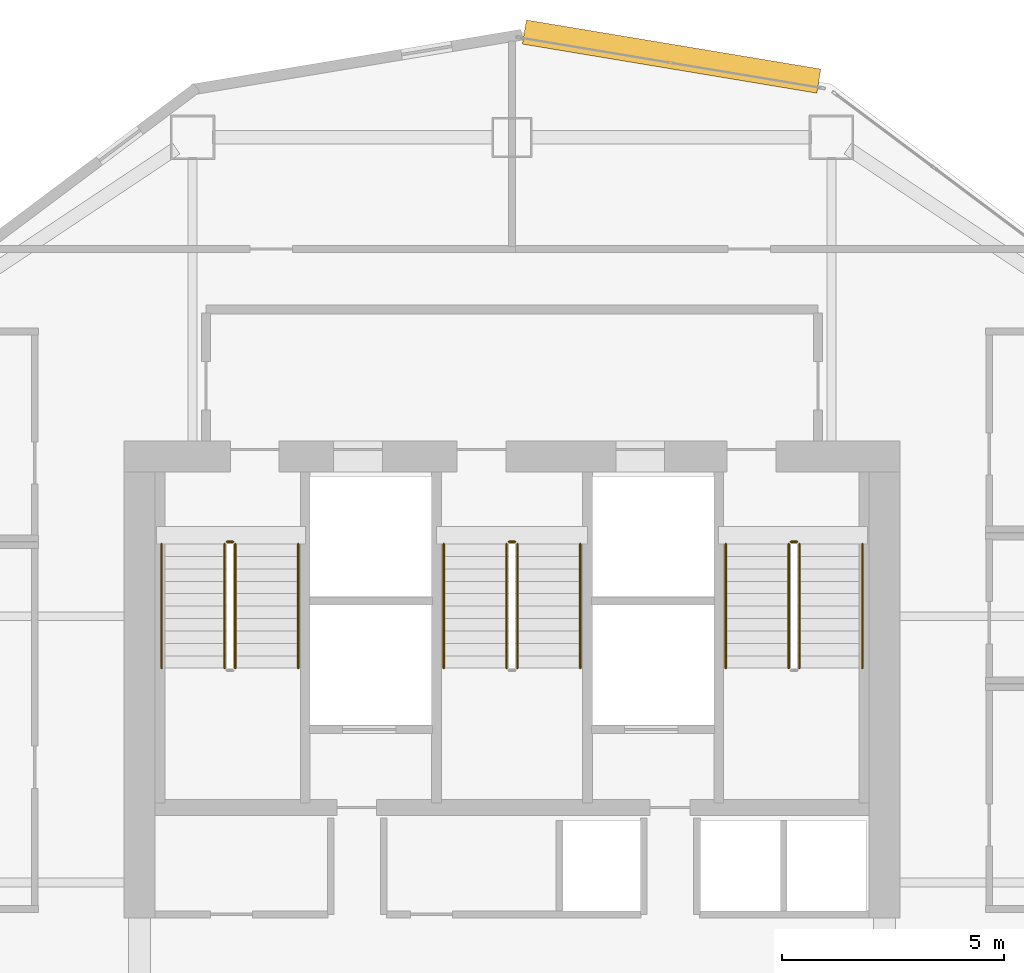
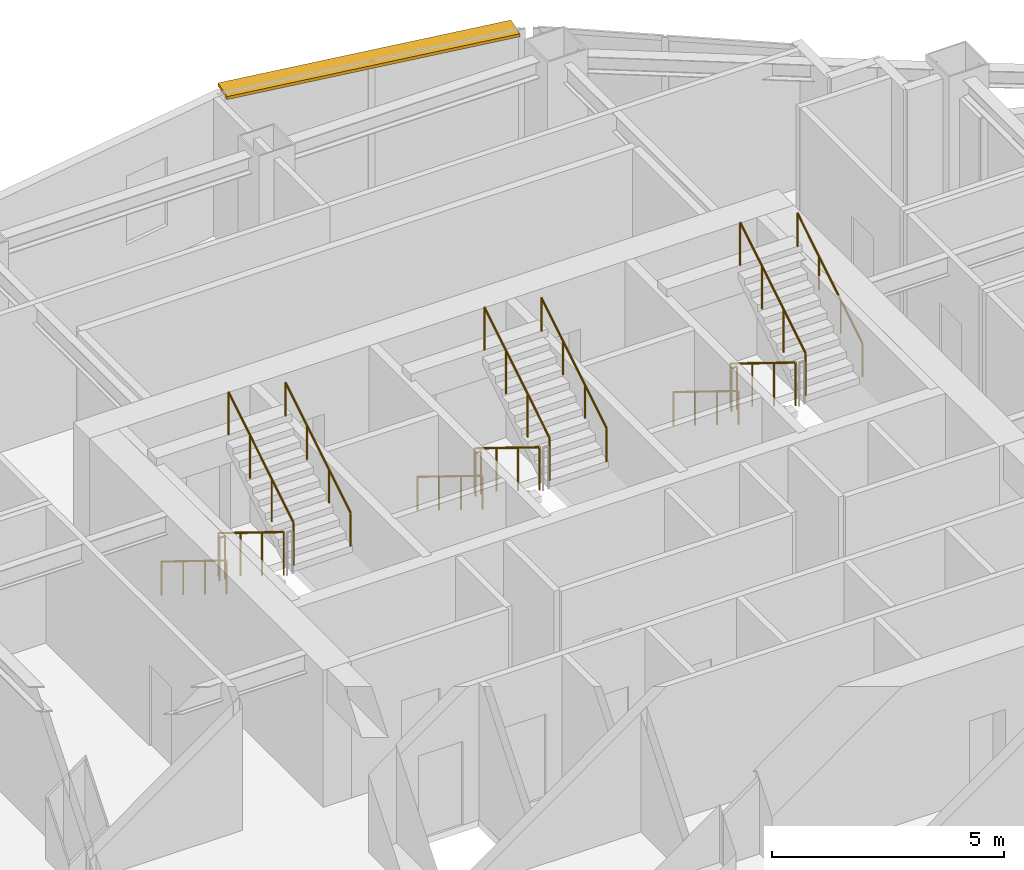
# One storey, part 14 of 14: 15 railings, 1 shading device.
"""IFC4 building model written with IfcOpenShell, lengths in metres."""

from ifc_helpers import new_model, si_unit, direction, frame, origin, origin_2d, place, context, subcontext, project, spatial, rectangle, circle, extrude, material, layer, layer_set, type_object, element, save


model = new_model("IFC4")

# Units and contexts
model_context = context("Model", 3, precision=1e-05, world=origin(), true_north=direction((0.0, 1.0)))
body_context = subcontext(model_context, "Body", "Model", "MODEL_VIEW")
ifc_project = project(units=[si_unit("LENGTHUNIT", "METRE"), si_unit("AREAUNIT", "SQUARE_METRE"), si_unit("VOLUMEUNIT", "CUBIC_METRE"), si_unit("PLANEANGLEUNIT", "RADIAN"), si_unit("MASSUNIT", "GRAM", prefix="KILO")], contexts=[model_context])

# Site, building, storey
site_placement = place(None, origin())
site = spatial("IfcSite", under=ifc_project, at=site_placement, CompositionType="ELEMENT")
building_placement = place(site_placement, origin())
building = spatial("IfcBuilding", under=site, at=building_placement, Name="Haolan Belvedere Tower", CompositionType="ELEMENT")
storey_placement = place(building_placement, frame((0.0, 0.0, 109.800048828125)))
storey = spatial("IfcBuildingStorey", under=building, at=storey_placement, Name="L27", CompositionType="ELEMENT", Elevation=109.800048828125)

# Railings
ifc_material_1 = material(Name="Brushed stainless steel 304", Category="steel")
railing_type_1 = type_object("IfcRailingType", Name="RL-STAIR-GRD-1150", PredefinedType="GUARDRAIL", material=ifc_material_1)
railing_1_placement = place(storey_placement, frame((31.919921875, 41.22998046875, 0.172607421875)))
element("IfcRailing", 1, at=railing_1_placement, inside=storey, type_object=railing_type_1, Name="L27 ST1 stair guard 1", PredefinedType="GUARDRAIL", context=body_context, shape_type="SweptSolid", body=[
    extrude(circle(Radius=0.02392578125, at=origin_2d()), frame((0.0, 0.0, 1.1259765625), z_axis=(0.0, -0.851089632645, 0.525020415988), x_axis=(1.0, 0.0, 0.0)), (0.0, 0.0, 1.0), 3.2900390625),
    extrude(circle(Radius=0.02099609375, at=origin_2d()), origin(), (0.0, 0.0, 1.0), 1.101806640625),
    extrude(circle(Radius=0.02099609375, at=origin_2d()), frame((0.0, -0.933349609375, 0.57568359375)), (0.0, 0.0, 1.0), 1.101806640625),
    extrude(circle(Radius=0.02099609375, at=origin_2d()), frame((0.0, -1.86669921875, 1.151611328125)), (0.0, 0.0, 1.0), 1.101806640625),
    extrude(circle(Radius=0.02099609375, at=origin_2d()), frame((0.0, -2.800048828125, 1.727294921875)), (0.0, 0.0, 1.0), 1.101806640625),
])
railing_2_placement = place(storey_placement, frame((32.159912109375, 38.429931640625, 2.07275390625)))
element("IfcRailing", 2, at=railing_2_placement, inside=storey, type_object=railing_type_1, Name="L27 ST1 stair guard 3", PredefinedType="GUARDRAIL", context=body_context, shape_type="SweptSolid", body=[
    extrude(circle(Radius=0.02392578125, at=origin_2d()), frame((0.0, 0.0, 1.1259765625), z_axis=(0.0, 0.851089632645, 0.525020415988), x_axis=(-1.0, 0.0, 0.0)), (0.0, 0.0, 1.0), 3.2900390625),
    extrude(circle(Radius=0.02099609375, at=origin_2d()), origin(), (0.0, 0.0, 1.0), 1.101806640625),
    extrude(circle(Radius=0.02099609375, at=origin_2d()), frame((0.0, 0.933349609375, 0.57568359375)), (0.0, 0.0, 1.0), 1.101806640625),
    extrude(circle(Radius=0.02099609375, at=origin_2d()), frame((0.0, 1.86669921875, 1.151611328125)), (0.0, 0.0, 1.0), 1.101806640625),
    extrude(circle(Radius=0.02099609375, at=origin_2d()), frame((0.0, 2.800048828125, 1.727294921875)), (0.0, 0.0, 1.0), 1.101806640625),
])
railing_3_placement = place(storey_placement, frame((31.969970703125, 41.280029296875, 0.0)))
element("IfcRailing", 3, at=railing_3_placement, inside=storey, type_object=railing_type_1, Name="L27 ST1 stair guard 4", PredefinedType="GUARDRAIL", context=body_context, shape_type="SweptSolid", body=[
    extrude(circle(Radius=0.02392578125, at=origin_2d()), frame((0.0, 0.0, 1.1259765625), z_axis=(1.0, 0.0, 0.0), x_axis=(0.0, 1.0, 0.0)), (0.0, 0.0, 1.0), 0.14013671875),
    extrude(circle(Radius=0.02099609375, at=origin_2d()), origin(), (0.0, 0.0, 1.0), 1.101806640625),
    extrude(circle(Radius=0.02099609375, at=origin_2d()), frame((0.14013671875, 0.0, 0.0)), (0.0, 0.0, 1.0), 1.101806640625),
])
railing_4_placement = place(storey_placement, frame((38.280029296875, 41.22998046875, 0.172607421875)))
element("IfcRailing", 4, at=railing_4_placement, inside=storey, type_object=railing_type_1, Name="L27 ST3 stair guard 1", PredefinedType="GUARDRAIL", context=body_context, shape_type="SweptSolid", body=[
    extrude(circle(Radius=0.02392578125, at=origin_2d()), frame((0.0, 0.0, 1.1259765625), z_axis=(0.0, -0.851089632645, 0.525020415988), x_axis=(1.0, 0.0, 0.0)), (0.0, 0.0, 1.0), 3.2900390625),
    extrude(circle(Radius=0.02099609375, at=origin_2d()), origin(), (0.0, 0.0, 1.0), 1.101806640625),
    extrude(circle(Radius=0.02099609375, at=origin_2d()), frame((0.0, -0.933349609375, 0.57568359375)), (0.0, 0.0, 1.0), 1.101806640625),
    extrude(circle(Radius=0.02099609375, at=origin_2d()), frame((0.0, -1.86669921875, 1.151611328125)), (0.0, 0.0, 1.0), 1.101806640625),
    extrude(circle(Radius=0.02099609375, at=origin_2d()), frame((0.0, -2.800048828125, 1.727294921875)), (0.0, 0.0, 1.0), 1.101806640625),
])
railing_5_placement = place(storey_placement, frame((38.52001953125, 38.429931640625, 2.07275390625)))
element("IfcRailing", 5, at=railing_5_placement, inside=storey, type_object=railing_type_1, Name="L27 ST3 stair guard 3", PredefinedType="GUARDRAIL", context=body_context, shape_type="SweptSolid", body=[
    extrude(circle(Radius=0.02392578125, at=origin_2d()), frame((0.0, 0.0, 1.1259765625), z_axis=(0.0, 0.851089632645, 0.525020415988), x_axis=(-1.0, 0.0, 0.0)), (0.0, 0.0, 1.0), 3.2900390625),
    extrude(circle(Radius=0.02099609375, at=origin_2d()), origin(), (0.0, 0.0, 1.0), 1.101806640625),
    extrude(circle(Radius=0.02099609375, at=origin_2d()), frame((0.0, 0.933349609375, 0.57568359375)), (0.0, 0.0, 1.0), 1.101806640625),
    extrude(circle(Radius=0.02099609375, at=origin_2d()), frame((0.0, 1.86669921875, 1.151611328125)), (0.0, 0.0, 1.0), 1.101806640625),
    extrude(circle(Radius=0.02099609375, at=origin_2d()), frame((0.0, 2.800048828125, 1.727294921875)), (0.0, 0.0, 1.0), 1.101806640625),
])
railing_6_placement = place(storey_placement, frame((38.330078125, 41.280029296875, 0.0)))
element("IfcRailing", 6, at=railing_6_placement, inside=storey, type_object=railing_type_1, Name="L27 ST3 stair guard 4", PredefinedType="GUARDRAIL", context=body_context, shape_type="SweptSolid", body=[
    extrude(circle(Radius=0.02392578125, at=origin_2d()), frame((0.0, 0.0, 1.1259765625), z_axis=(1.0, 0.0, 0.0), x_axis=(0.0, 1.0, 0.0)), (0.0, 0.0, 1.0), 0.139892578125),
    extrude(circle(Radius=0.02099609375, at=origin_2d()), origin(), (0.0, 0.0, 1.0), 1.101806640625),
    extrude(circle(Radius=0.02099609375, at=origin_2d()), frame((0.139892578125, 0.0, 0.0)), (0.0, 0.0, 1.0), 1.101806640625),
])
railing_7_placement = place(storey_placement, frame((44.639892578125, 41.22998046875, 0.172607421875)))
element("IfcRailing", 7, at=railing_7_placement, inside=storey, type_object=railing_type_1, Name="L27 ST2 stair guard 1", PredefinedType="GUARDRAIL", context=body_context, shape_type="SweptSolid", body=[
    extrude(circle(Radius=0.02392578125, at=origin_2d()), frame((0.0, 0.0, 1.1259765625), z_axis=(0.0, -0.851089632645, 0.525020415988), x_axis=(1.0, 0.0, 0.0)), (0.0, 0.0, 1.0), 3.2900390625),
    extrude(circle(Radius=0.02099609375, at=origin_2d()), origin(), (0.0, 0.0, 1.0), 1.101806640625),
    extrude(circle(Radius=0.02099609375, at=origin_2d()), frame((0.0, -0.933349609375, 0.57568359375)), (0.0, 0.0, 1.0), 1.101806640625),
    extrude(circle(Radius=0.02099609375, at=origin_2d()), frame((0.0, -1.86669921875, 1.151611328125)), (0.0, 0.0, 1.0), 1.101806640625),
    extrude(circle(Radius=0.02099609375, at=origin_2d()), frame((0.0, -2.800048828125, 1.727294921875)), (0.0, 0.0, 1.0), 1.101806640625),
])
railing_8_placement = place(storey_placement, frame((44.8798828125, 38.429931640625, 2.07275390625)))
element("IfcRailing", 8, at=railing_8_placement, inside=storey, type_object=railing_type_1, Name="L27 ST2 stair guard 3", PredefinedType="GUARDRAIL", context=body_context, shape_type="SweptSolid", body=[
    extrude(circle(Radius=0.02392578125, at=origin_2d()), frame((0.0, 0.0, 1.1259765625), z_axis=(0.0, 0.851089632645, 0.525020415988), x_axis=(-1.0, 0.0, 0.0)), (0.0, 0.0, 1.0), 3.2900390625),
    extrude(circle(Radius=0.02099609375, at=origin_2d()), origin(), (0.0, 0.0, 1.0), 1.101806640625),
    extrude(circle(Radius=0.02099609375, at=origin_2d()), frame((0.0, 0.933349609375, 0.57568359375)), (0.0, 0.0, 1.0), 1.101806640625),
    extrude(circle(Radius=0.02099609375, at=origin_2d()), frame((0.0, 1.86669921875, 1.151611328125)), (0.0, 0.0, 1.0), 1.101806640625),
    extrude(circle(Radius=0.02099609375, at=origin_2d()), frame((0.0, 2.800048828125, 1.727294921875)), (0.0, 0.0, 1.0), 1.101806640625),
])
railing_9_placement = place(storey_placement, frame((44.68994140625, 41.280029296875, 0.0)))
element("IfcRailing", 9, at=railing_9_placement, inside=storey, type_object=railing_type_1, Name="L27 ST2 stair guard 4", PredefinedType="GUARDRAIL", context=body_context, shape_type="SweptSolid", body=[
    extrude(circle(Radius=0.02392578125, at=origin_2d()), frame((0.0, 0.0, 1.1259765625), z_axis=(1.0, 0.0, 0.0), x_axis=(0.0, 1.0, 0.0)), (0.0, 0.0, 1.0), 0.14013671875),
    extrude(circle(Radius=0.02099609375, at=origin_2d()), origin(), (0.0, 0.0, 1.0), 1.101806640625),
    extrude(circle(Radius=0.02099609375, at=origin_2d()), frame((0.14013671875, 0.0, 0.0)), (0.0, 0.0, 1.0), 1.101806640625),
])
railing_type_2 = type_object("IfcRailingType", Name="RL-STAIR-HND-900", PredefinedType="HANDRAIL", material=ifc_material_1)
railing_10_placement = place(storey_placement, frame((30.5, 41.22998046875, 0.172607421875)))
element("IfcRailing", 10, at=railing_10_placement, inside=storey, type_object=railing_type_2, Name="L27 ST1 stair handrail 1", PredefinedType="HANDRAIL", context=body_context, shape_type="SweptSolid", body=[
    extrude(circle(Radius=0.02392578125, at=origin_2d()), frame((0.0, 0.0, 0.8759765625), z_axis=(0.0, -0.851089632645, 0.525020415988), x_axis=(1.0, 0.0, 0.0)), (0.0, 0.0, 1.0), 3.2900390625),
    extrude(circle(Radius=0.02099609375, at=origin_2d()), origin(), (0.0, 0.0, 1.0), 0.851806640625),
    extrude(circle(Radius=0.02099609375, at=origin_2d()), frame((0.0, -0.933349609375, 0.57568359375)), (0.0, 0.0, 1.0), 0.851806640625),
    extrude(circle(Radius=0.02099609375, at=origin_2d()), frame((0.0, -1.86669921875, 1.151611328125)), (0.0, 0.0, 1.0), 0.851806640625),
    extrude(circle(Radius=0.02099609375, at=origin_2d()), frame((0.0, -2.800048828125, 1.727294921875)), (0.0, 0.0, 1.0), 0.851806640625),
])
railing_11_placement = place(storey_placement, frame((33.580078125, 38.429931640625, 2.07275390625)))
element("IfcRailing", 11, at=railing_11_placement, inside=storey, type_object=railing_type_2, Name="L27 ST1 stair handrail 2", PredefinedType="HANDRAIL", context=body_context, shape_type="SweptSolid", body=[
    extrude(circle(Radius=0.02392578125, at=origin_2d()), frame((0.0, 0.0, 0.8759765625), z_axis=(0.0, 0.851089632645, 0.525020415988), x_axis=(-1.0, 0.0, 0.0)), (0.0, 0.0, 1.0), 3.2900390625),
    extrude(circle(Radius=0.02099609375, at=origin_2d()), origin(), (0.0, 0.0, 1.0), 0.851806640625),
    extrude(circle(Radius=0.02099609375, at=origin_2d()), frame((0.0, 0.933349609375, 0.57568359375)), (0.0, 0.0, 1.0), 0.851806640625),
    extrude(circle(Radius=0.02099609375, at=origin_2d()), frame((0.0, 1.86669921875, 1.151611328125)), (0.0, 0.0, 1.0), 0.851806640625),
    extrude(circle(Radius=0.02099609375, at=origin_2d()), frame((0.0, 2.800048828125, 1.727294921875)), (0.0, 0.0, 1.0), 0.851806640625),
])
railing_12_placement = place(storey_placement, frame((36.860107421875, 41.22998046875, 0.172607421875)))
element("IfcRailing", 12, at=railing_12_placement, inside=storey, type_object=railing_type_2, Name="L27 ST3 stair handrail 1", PredefinedType="HANDRAIL", context=body_context, shape_type="SweptSolid", body=[
    extrude(circle(Radius=0.02392578125, at=origin_2d()), frame((0.0, 0.0, 0.8759765625), z_axis=(0.0, -0.851089632645, 0.525020415988), x_axis=(1.0, 0.0, 0.0)), (0.0, 0.0, 1.0), 3.2900390625),
    extrude(circle(Radius=0.02099609375, at=origin_2d()), origin(), (0.0, 0.0, 1.0), 0.851806640625),
    extrude(circle(Radius=0.02099609375, at=origin_2d()), frame((0.0, -0.933349609375, 0.57568359375)), (0.0, 0.0, 1.0), 0.851806640625),
    extrude(circle(Radius=0.02099609375, at=origin_2d()), frame((0.0, -1.86669921875, 1.151611328125)), (0.0, 0.0, 1.0), 0.851806640625),
    extrude(circle(Radius=0.02099609375, at=origin_2d()), frame((0.0, -2.800048828125, 1.727294921875)), (0.0, 0.0, 1.0), 0.851806640625),
])
railing_13_placement = place(storey_placement, frame((39.93994140625, 38.429931640625, 2.07275390625)))
element("IfcRailing", 13, at=railing_13_placement, inside=storey, type_object=railing_type_2, Name="L27 ST3 stair handrail 2", PredefinedType="HANDRAIL", context=body_context, shape_type="SweptSolid", body=[
    extrude(circle(Radius=0.02392578125, at=origin_2d()), frame((0.0, 0.0, 0.8759765625), z_axis=(0.0, 0.851089632645, 0.525020415988), x_axis=(-1.0, 0.0, 0.0)), (0.0, 0.0, 1.0), 3.2900390625),
    extrude(circle(Radius=0.02099609375, at=origin_2d()), origin(), (0.0, 0.0, 1.0), 0.851806640625),
    extrude(circle(Radius=0.02099609375, at=origin_2d()), frame((0.0, 0.933349609375, 0.57568359375)), (0.0, 0.0, 1.0), 0.851806640625),
    extrude(circle(Radius=0.02099609375, at=origin_2d()), frame((0.0, 1.86669921875, 1.151611328125)), (0.0, 0.0, 1.0), 0.851806640625),
    extrude(circle(Radius=0.02099609375, at=origin_2d()), frame((0.0, 2.800048828125, 1.727294921875)), (0.0, 0.0, 1.0), 0.851806640625),
])
railing_14_placement = place(storey_placement, frame((43.219970703125, 41.22998046875, 0.172607421875)))
element("IfcRailing", 14, at=railing_14_placement, inside=storey, type_object=railing_type_2, Name="L27 ST2 stair handrail 1", PredefinedType="HANDRAIL", context=body_context, shape_type="SweptSolid", body=[
    extrude(circle(Radius=0.02392578125, at=origin_2d()), frame((0.0, 0.0, 0.8759765625), z_axis=(0.0, -0.851089632645, 0.525020415988), x_axis=(1.0, 0.0, 0.0)), (0.0, 0.0, 1.0), 3.2900390625),
    extrude(circle(Radius=0.02099609375, at=origin_2d()), origin(), (0.0, 0.0, 1.0), 0.851806640625),
    extrude(circle(Radius=0.02099609375, at=origin_2d()), frame((0.0, -0.933349609375, 0.57568359375)), (0.0, 0.0, 1.0), 0.851806640625),
    extrude(circle(Radius=0.02099609375, at=origin_2d()), frame((0.0, -1.86669921875, 1.151611328125)), (0.0, 0.0, 1.0), 0.851806640625),
    extrude(circle(Radius=0.02099609375, at=origin_2d()), frame((0.0, -2.800048828125, 1.727294921875)), (0.0, 0.0, 1.0), 0.851806640625),
])
railing_15_placement = place(storey_placement, frame((46.300048828125, 38.429931640625, 2.07275390625)))
element("IfcRailing", 15, at=railing_15_placement, inside=storey, type_object=railing_type_2, Name="L27 ST2 stair handrail 2", PredefinedType="HANDRAIL", context=body_context, shape_type="SweptSolid", body=[
    extrude(circle(Radius=0.02392578125, at=origin_2d()), frame((0.0, 0.0, 0.8759765625), z_axis=(0.0, 0.851089632645, 0.525020415988), x_axis=(-1.0, 0.0, 0.0)), (0.0, 0.0, 1.0), 3.2900390625),
    extrude(circle(Radius=0.02099609375, at=origin_2d()), origin(), (0.0, 0.0, 1.0), 0.851806640625),
    extrude(circle(Radius=0.02099609375, at=origin_2d()), frame((0.0, 0.933349609375, 0.57568359375)), (0.0, 0.0, 1.0), 0.851806640625),
    extrude(circle(Radius=0.02099609375, at=origin_2d()), frame((0.0, 1.86669921875, 1.151611328125)), (0.0, 0.0, 1.0), 0.851806640625),
    extrude(circle(Radius=0.02099609375, at=origin_2d()), frame((0.0, 2.800048828125, 1.727294921875)), (0.0, 0.0, 1.0), 0.851806640625),
])

# Shading device
ifc_material_2 = material(Name="Anodised champagne-silver aluminium 6063-T6", Category="aluminium")
ifc_layer = layer(ifc_material_2, 0.080078125, Name="Anodised champagne-silver aluminium 6063-T6")
ifc_layer_set = layer_set([ifc_layer], Name="Anodised champagne-silver aluminium 6063-T6")
shading_device_type = type_object("IfcShadingDeviceType", Name="SHD-SUN-550", PredefinedType="USERDEFINED", material=ifc_layer_set)
shading_device_placement = place(storey_placement, frame((41.998779296875, 52.220458984375, 3.5), z_axis=(0.0, 0.0, 1.0), x_axis=(-0.986391978972, 0.16441065604, 0.0)))
element("IfcShadingDevice", 16, at=shading_device_placement, inside=storey, type_object=shading_device_type, Name="L27 pale-metal horizontal SUNSHADE band 27.1", ObjectType="SUNSHADE", PredefinedType="USERDEFINED", context=body_context, shape_type="SweptSolid", body=[
    extrude(rectangle(XDim=6.72998046875, YDim=0.550048828125, at=origin_2d()), origin(), (0.0, 0.0, 1.0), 0.080078125),
])

save(model, "model.ifc")
